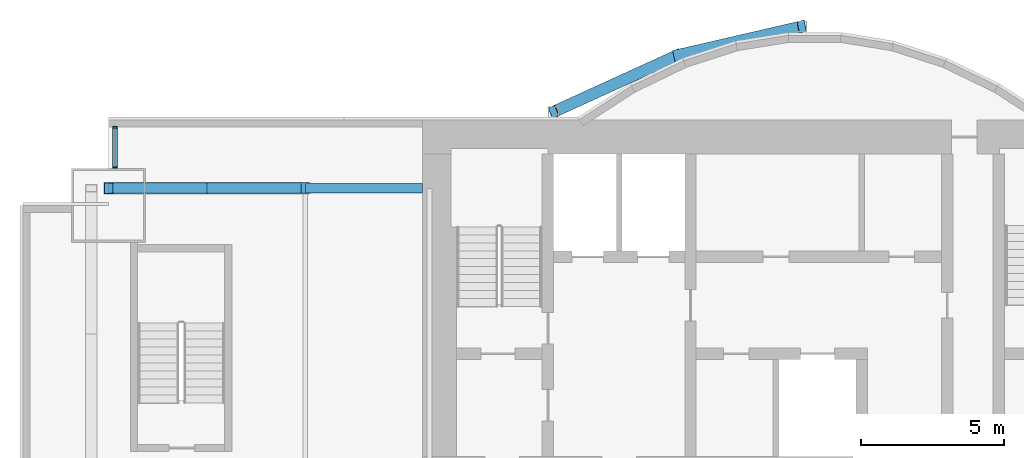
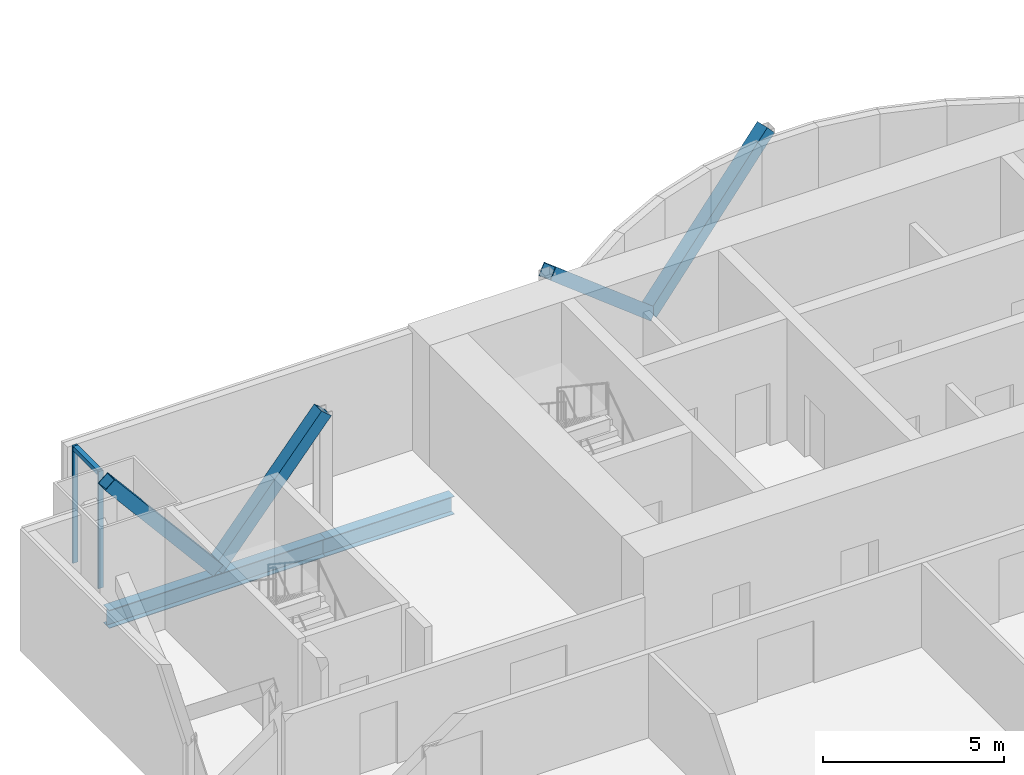
# One storey, part 10 of 21: 7 members, 2 beams, 1 element without a shape of its own.
"""IFC4 building model written with IfcOpenShell, lengths in metres."""

from ifc_helpers import new_model, si_unit, direction, frame, origin, origin_2d, place, context, subcontext, project, spatial, rectangle, hollow_rectangle, i_section, extrude, material, material_profile, profile_set, type_object, element, aggregate, save


model = new_model("IFC4")

# Units and contexts
model_context = context("Model", 3, precision=1e-05, world=origin(), true_north=direction((0.0, 1.0)))
body_context = subcontext(model_context, "Body", "Model", "MODEL_VIEW")
ifc_project = project(units=[si_unit("LENGTHUNIT", "METRE"), si_unit("AREAUNIT", "SQUARE_METRE"), si_unit("VOLUMEUNIT", "CUBIC_METRE"), si_unit("PLANEANGLEUNIT", "RADIAN"), si_unit("MASSUNIT", "GRAM", prefix="KILO")], contexts=[model_context])

# Site, building, storey
site_placement = place(None, origin())
site = spatial("IfcSite", under=ifc_project, at=site_placement, CompositionType="ELEMENT")
building_placement = place(site_placement, origin())
building = spatial("IfcBuilding", under=site, at=building_placement, Name="Bicima Exchange Tower", CompositionType="ELEMENT")
storey_placement = place(building_placement, frame((0.0, 0.0, 173.199951171875)))
storey = spatial("IfcBuildingStorey", under=building, at=storey_placement, Name="L38", CompositionType="ELEMENT", Elevation=173.199951171875)

# Curtain wall, members
ifc_material_1 = material(Name="Anodised bronze aluminium", Category="aluminium")
curtain_wall_type = type_object("IfcCurtainWallType", Name="Front glass wall", PredefinedType="NOTDEFINED", material=ifc_material_1)
curtain_wall_placement = place(storey_placement, origin())
curtain_wall = element("IfcCurtainWall", 1, at=curtain_wall_placement, inside=storey, type_object=curtain_wall_type, Name="Front glass wall L38 run 1", PredefinedType="NOTDEFINED")
ifc_material_profile_1 = material_profile(ifc_material_1, rectangle(XDim=0.159912109375, YDim=0.06005859375, at=origin_2d()))
ifc_profile_set_1 = profile_set([ifc_material_profile_1], Name="Anodised bronze aluminium")
member_type_1 = type_object("IfcMemberType", Name="Front glass wall mullion 60 x 160", PredefinedType="MULLION", material=ifc_profile_set_1)
member_1_placement = place(storey_placement, frame((-32.77001953125, -0.260009765625, 0.0), z_axis=(0.0, 0.0, 1.0), x_axis=(1.0, 0.0, 0.0)))
member_1 = element("IfcMember", 2, at=member_1_placement, type_object=member_type_1, Name="Front glass wall mullion 1", PredefinedType="MULLION", context=body_context, shape_type="SweptSolid", body=[
    extrude(rectangle(XDim=0.159912109375, YDim=0.06005859375, at=origin_2d()), origin(), (0.0, 0.0, 1.0), 3.949951171875),
])
member_2_placement = place(storey_placement, frame((-32.77001953125, -1.669921875, 0.0), z_axis=(0.0, 0.0, 1.0), x_axis=(1.0, 0.0, 0.0)))
member_2 = element("IfcMember", 3, at=member_2_placement, type_object=member_type_1, Name="Front glass wall mullion 2", PredefinedType="MULLION", context=body_context, shape_type="SweptSolid", body=[
    extrude(rectangle(XDim=0.159912109375, YDim=0.06005859375, at=origin_2d()), origin(), (0.0, 0.0, 1.0), 3.949951171875),
])
ifc_material_profile_2 = material_profile(ifc_material_1, rectangle(XDim=0.159912109375, YDim=0.139892578125, at=origin_2d()))
ifc_profile_set_2 = profile_set([ifc_material_profile_2], Name="Anodised bronze aluminium")
member_type_2 = type_object("IfcMemberType", Name="Front glass wall transom 140 x 160", PredefinedType="USERDEFINED", material=ifc_profile_set_2)
member_3_placement = place(storey_placement, frame((-32.77001953125, -0.2900390625, 3.880126953125), z_axis=(0.0, -1.0, 0.0), x_axis=(1.0, 0.0, 0.0)))
member_3 = element("IfcMember", 4, at=member_3_placement, type_object=member_type_2, Name="Front glass wall transom 1.1", ObjectType="TRANSOM", PredefinedType="USERDEFINED", context=body_context, shape_type="SweptSolid", body=[
    extrude(rectangle(XDim=0.159912109375, YDim=0.139892578125, at=origin_2d()), origin(), (0.0, 0.0, 1.0), 1.349853515625),
])
aggregate(curtain_wall, [member_1, member_2, member_3])

# Members
ifc_material_2 = material(Name="Steel ASTM A572 Gr 50", Category="steel")
ifc_material_profile_3 = material_profile(ifc_material_2, hollow_rectangle(XDim=0.406494140625, YDim=0.406494140625, WallThickness=0.017822265625, at=origin_2d()))
ifc_profile_set_3 = profile_set([ifc_material_profile_3], Name="Steel ASTM A572 Gr 50")
member_type_3 = type_object("IfcMemberType", Name="Mega brace HSS16x16x3/4", PredefinedType="BRACE", material=ifc_profile_set_3)
member_4_placement = place(storey_placement, frame((-13.050048828125, 2.262451171875, 0.0), z_axis=(0.717605620354, 0.166050509188, 0.676364843878), x_axis=(-0.225438503722, 0.974257399787, 0.0)))
element("IfcMember", 5, at=member_4_placement, inside=storey, type_object=member_type_3, Name="Mega brace rexo", PredefinedType="BRACE", context=body_context, shape_type="SweptSolid", body=[
    extrude(hollow_rectangle(XDim=0.406494140625, YDim=0.406494140625, WallThickness=0.017822265625, at=origin_2d()), origin(), (0.0, 0.0, 1.0), 6.06201171875),
])
member_5_placement = place(storey_placement, frame((-13.050048828125, 2.262451171875, 0.0), z_axis=(-0.690628963585, -0.315060460011, 0.650975069565), x_axis=(0.415045223819, -0.909800781592, 0.0)))
element("IfcMember", 6, at=member_5_placement, inside=storey, type_object=member_type_3, Name="Mega brace rexo", PredefinedType="BRACE", context=body_context, shape_type="SweptSolid", body=[
    extrude(hollow_rectangle(XDim=0.406494140625, YDim=0.406494140625, WallThickness=0.017822265625, at=origin_2d()), origin(), (0.0, 0.0, 1.0), 6.29833984375),
])
for number, where, z_axis, x_axis, name in (
    (7, (-29.550048828125, -2.39990234375, 0.0), (0.643834042494, 0.0, 0.765165162384), (0.0, 1.0, 0.0), "Mega brace rear"),
    (8, (-29.550048828125, -2.39990234375, 0.0), (-0.643834042494, 0.0, 0.765165162384), (0.0, -1.0, 0.0), "Mega brace rear"),
):
    element("IfcMember", number, at=place(storey_placement, frame(where, z_axis=z_axis, x_axis=x_axis)), inside=storey, type_object=member_type_3, Name=name, PredefinedType="BRACE", context=body_context, shape_type="SweptSolid", body=[
        extrude(hollow_rectangle(XDim=0.406494140625, YDim=0.406494140625, WallThickness=0.017822265625, at=origin_2d()), origin(), (0.0, 0.0, 1.0), 5.3583984375),
    ])

# Beams
ifc_material_3 = material(Name="Steel ASTM A992 Gr 50", Category="steel")
ifc_material_profile_4 = material_profile(ifc_material_3, i_section(OverallWidth=0.3251953125, OverallDepth=0.612060546875, WebThickness=0.0126953125, FlangeThickness=0.01904296875, at=origin_2d()))
ifc_profile_set_4 = profile_set([ifc_material_profile_4], Name="Steel ASTM A992 Gr 50")
beam_type = type_object("IfcBeamType", Name="Rear girder W24x104", PredefinedType="BEAM", material=ifc_profile_set_4)
beam_1_placement = place(storey_placement, frame((-22.0, -2.39990234375, -0.4560546875), z_axis=(-1.0, 0.0, 0.0), x_axis=(0.0, -1.0, 0.0)))
element("IfcBeam", 9, at=beam_1_placement, inside=storey, type_object=beam_type, Name="Rear girder", PredefinedType="BEAM", context=body_context, shape_type="SweptSolid", body=[
    extrude(i_section(OverallWidth=0.3251953125, OverallDepth=0.612060546875, WebThickness=0.0126953125, FlangeThickness=0.01904296875, at=origin_2d()), origin(), (0.0, 0.0, 1.0), 4.10009765625),
])
beam_2_placement = place(storey_placement, frame((-26.10009765625, -2.39990234375, -0.4560546875), z_axis=(-1.0, 0.0, 0.0), x_axis=(0.0, -1.0, 0.0)))
element("IfcBeam", 10, at=beam_2_placement, inside=storey, type_object=beam_type, Name="Rear girder", PredefinedType="BEAM", context=body_context, shape_type="SweptSolid", body=[
    extrude(i_section(OverallWidth=0.3251953125, OverallDepth=0.612060546875, WebThickness=0.0126953125, FlangeThickness=0.01904296875, at=origin_2d()), origin(), (0.0, 0.0, 1.0), 6.89990234375),
])

save(model, "model.ifc")
